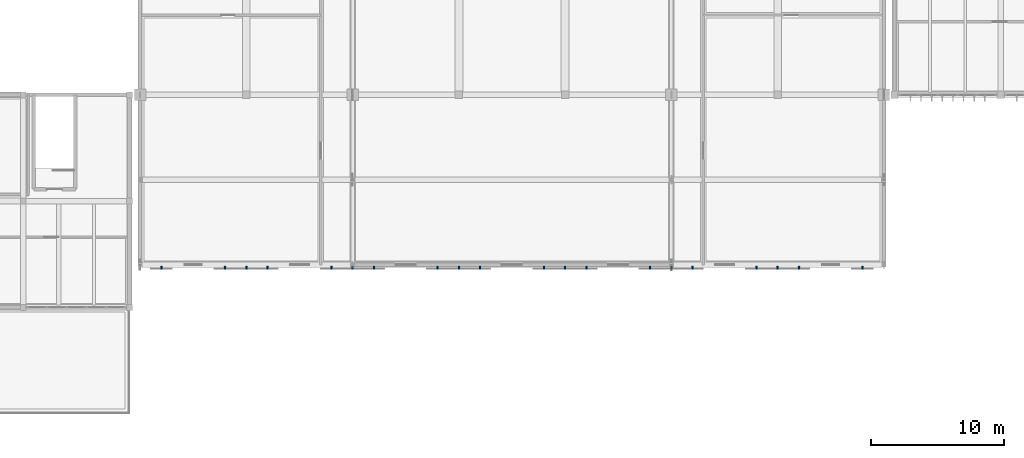
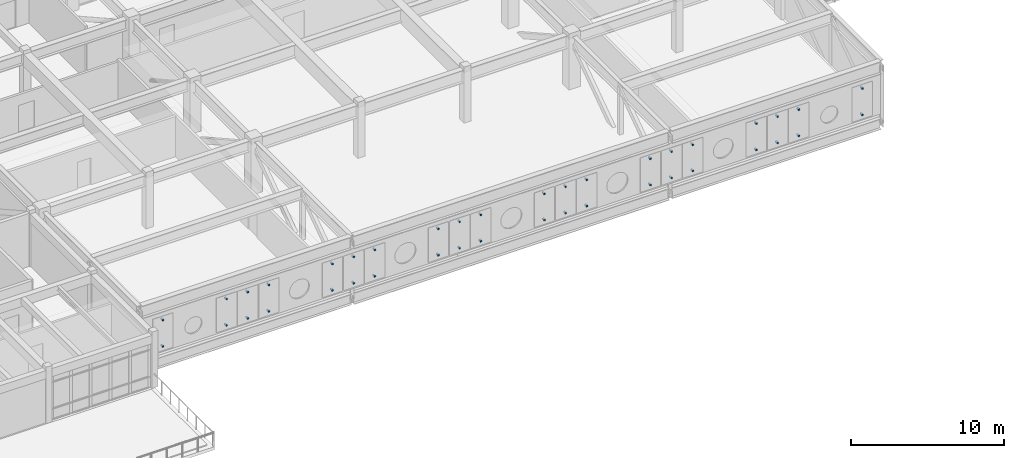
# One storey, part 63 of 79: 40 discrete accessories.
"""IFC4 building model written with IfcOpenShell, lengths in metres."""

import ifcopenshell
import ifcopenshell.guid

model = None  # the IFC model being written
_history = None  # IfcOwnerHistory: only IFC2X3 demands one
_inside = {}  # id of a spatial element -> (the spatial element, [elements in it])
_under = {}  # id of a project, library or spatial element -> (it, [spatial elements below it])
_declared = {}  # id of a project -> (the project, [libraries it declares])
_typed = {}  # id of a type object -> (the type object, [elements of that type])
_made_of = {}  # id of a material, layer set ... -> (it, [elements and type objects made of it])


def new_model(schema):
    """Start an empty IFC model of exactly this schema.

    Asked for "IFC4X3", IfcOpenShell would pick the latest addendum, in which some entities
    have other attributes; the version numbers below select the first issue.
    IFC2X3 requires an IfcOwnerHistory on every rooted entity: one is made here for all.
    """
    global model, _history
    if schema == "IFC4X3":
        model = ifcopenshell.file(schema_version=(4, 3, 0, 0))
    else:
        model = ifcopenshell.file(schema=schema)
    _inside.clear()
    _under.clear()
    _declared.clear()
    _typed.clear()
    _made_of.clear()
    _history = None
    if model.schema == "IFC2X3":
        org = make("IfcOrganization", Name="unknown")
        user = make(
            "IfcPersonAndOrganization",
            ThePerson=make("IfcPerson", FamilyName="unknown"),
            TheOrganization=org,
        )
        app = make(
            "IfcApplication",
            ApplicationDeveloper=org,
            Version="unknown",
            ApplicationFullName="unknown",
            ApplicationIdentifier="unknown",
        )
        _history = make(
            "IfcOwnerHistory",
            OwningUser=user,
            OwningApplication=app,
            ChangeAction="ADDED",
            CreationDate=0,
        )
    return model


def make(cls, **values):
    """One entity of the class cls with the attributes given. An attribute that is None is left unset."""
    return model.create_entity(
        cls, **{name: value for name, value in values.items() if value is not None}
    )


def rooted(cls, **values):
    """An entity with a GlobalId (a new one), such as an element, a storey or a relation."""
    return make(cls, GlobalId=ifcopenshell.guid.new(), OwnerHistory=_history, **values)


def si_unit(unit_type, name, prefix=None):
    """IfcSIUnit, for example si_unit("LENGTHUNIT", "METRE", prefix="MILLI")."""
    return make("IfcSIUnit", UnitType=unit_type, Prefix=prefix, Name=name)


def assignment(units):
    """IfcUnitAssignment: the units of a project."""
    return None if units is None else make("IfcUnitAssignment", Units=units)


def point(xyz):
    """IfcCartesianPoint."""
    return None if xyz is None else make("IfcCartesianPoint", Coordinates=xyz)


def direction(xyz):
    """IfcDirection."""
    return None if xyz is None else make("IfcDirection", DirectionRatios=xyz)


def frame(location, z_axis=None, x_axis=None):
    """IfcAxis2Placement3D, a coordinate frame: its origin and axes. An axis left out is left unset."""
    return make(
        "IfcAxis2Placement3D",
        Location=point(location),
        Axis=direction(z_axis),
        RefDirection=direction(x_axis),
    )


def frame_2d(location, x_axis=None):
    """IfcAxis2Placement2D, a coordinate frame in the plane: its origin and x axis."""
    return make(
        "IfcAxis2Placement2D", Location=point(location), RefDirection=direction(x_axis)
    )


def origin():
    """The frame at (0, 0, 0) with its axes left unset."""
    return frame((0.0, 0.0, 0.0))


def origin_2d():
    """The frame at (0, 0) in the plane with its x axis left unset."""
    return frame_2d((0.0, 0.0))


def place(relative_to, where):
    """IfcLocalPlacement: puts the frame where relative to a parent placement (None: the world)."""
    return make(
        "IfcLocalPlacement", PlacementRelTo=relative_to, RelativePlacement=where
    )


def context(
    kind, dimensions, precision=None, world=None, true_north=None, identifier=None
):
    """IfcGeometricRepresentationContext, for example the 3D "Model" context."""
    return make(
        "IfcGeometricRepresentationContext",
        ContextIdentifier=identifier,
        ContextType=kind,
        CoordinateSpaceDimension=dimensions,
        Precision=precision,
        WorldCoordinateSystem=world,
        TrueNorth=true_north,
    )


def subcontext(parent, identifier, kind, view, scale=None):
    """IfcGeometricRepresentationSubContext, for example "Body" below "Model"."""
    return make(
        "IfcGeometricRepresentationSubContext",
        ContextIdentifier=identifier,
        ContextType=kind,
        ParentContext=parent,
        TargetScale=scale,
        TargetView=view,
    )


def project(units=None, contexts=None):
    """IfcProject with its units and contexts."""
    return rooted(
        "IfcProject",
        Name="project",
        RepresentationContexts=contexts,
        UnitsInContext=assignment(units),
    )


def spatial(cls, under=None, at=None, **own):
    """A site, building, storey or space (cls), placed at a placement, below another one or the project."""
    s = rooted(cls, ObjectPlacement=at, **own)
    if under is not None:
        _under.setdefault(under.id(), (under, []))[1].append(s)
    return s


def profile(cls, at=None, kind="AREA", **sizes):
    """A parametric profile (cls). Its sizes go by their IFC names, for example OverallWidth=200.0."""
    return make(cls, ProfileType=kind, Position=at, **sizes)


def rectangle(**sizes):
    """IfcRectangleProfileDef."""
    return profile("IfcRectangleProfileDef", **sizes)


def extrude(swept, where, along, depth):
    """IfcExtrudedAreaSolid: the profile swept, set in the frame where, extruded along a direction by depth."""
    return make(
        "IfcExtrudedAreaSolid",
        SweptArea=swept,
        Position=where,
        ExtrudedDirection=direction(along),
        Depth=depth,
    )


def shape(context_of_items, identifier, shape_type, items):
    """IfcShapeRepresentation: the items that make up one representation, for example the "Body"."""
    return make(
        "IfcShapeRepresentation",
        ContextOfItems=context_of_items,
        RepresentationIdentifier=identifier,
        RepresentationType=shape_type,
        Items=items,
    )


def material(Name=None, Category=None):
    """IfcMaterial."""
    return make("IfcMaterial", Name=Name, Category=Category)


def made_of(thing, what):
    """Note that an element or type object is made of a material, layer set ...; save() writes the relation."""
    if what is not None:
        _made_of.setdefault(what.id(), (what, []))[1].append(thing)
    return thing


def type_object(cls, material=None, **own):
    """A type object (cls), such as IfcWallType, which elements share."""
    return made_of(rooted(cls, **own), material)


def element(
    cls,
    number,
    at=None,
    inside=None,
    cuts=None,
    type_object=None,
    material=None,
    context=None,
    identifier="Body",
    shape_type=None,
    held_by="IfcProductDefinitionShape",
    body=None,
    shapes=None,
    **own,
):
    """One element of the class cls, such as IfcWall. Its Tag is "e" and its number.

    at: its placement. inside: the storey or other place that contains it. cuts: it is an
    opening in that element (IfcRelVoidsElement). A single representation is given by context,
    identifier, shape_type and body (its items); several are given by shapes. held_by: the class
    of the entity that holds the representations. save() writes the other relations.
    """
    e = rooted(cls, Tag="e%d" % number, ObjectPlacement=at, **own)
    if body is not None:
        shapes = [shape(context, identifier, shape_type, body)]
    if shapes is not None:
        e.Representation = make(held_by, Representations=shapes)
    if inside is not None:
        _inside.setdefault(inside.id(), (inside, []))[1].append(e)
    if cuts is not None:
        rooted(
            "IfcRelVoidsElement", RelatingBuildingElement=cuts, RelatedOpeningElement=e
        )
    if type_object is not None:
        _typed.setdefault(type_object.id(), (type_object, []))[1].append(e)
    return made_of(e, material)


def aggregate(whole, parts):
    """IfcRelAggregates: a whole, such as a stair, and the parts it consists of."""
    return rooted("IfcRelAggregates", RelatingObject=whole, RelatedObjects=parts)


def save(model, path):
    """Write the relations noted so far, then the file.

    IfcRelAggregates (storeys below a building ...), IfcRelContainedInSpatialStructure (elements
    in a storey), IfcRelDefinesByType, IfcRelAssociatesMaterial and IfcRelDeclares: one each for
    every whole, place, type object, material and project.
    """
    for whole, parts in _under.values():
        aggregate(whole, parts)
    for where, things in _inside.values():
        rooted(
            "IfcRelContainedInSpatialStructure",
            RelatedElements=things,
            RelatingStructure=where,
        )
    for kind, things in _typed.values():
        rooted("IfcRelDefinesByType", RelatedObjects=things, RelatingType=kind)
    for what, things in _made_of.values():
        rooted("IfcRelAssociatesMaterial", RelatedObjects=things, RelatingMaterial=what)
    for by, libraries in _declared.values():
        rooted("IfcRelDeclares", RelatingContext=by, RelatedDefinitions=libraries)
    model.write(path)


model = new_model("IFC4")

# Units and contexts
model_context = context("Model", 3, precision=1e-05, world=origin(), true_north=direction((0.0, 1.0)))
body_context = subcontext(model_context, "Body", "Model", "MODEL_VIEW")
ifc_project = project(units=[si_unit("LENGTHUNIT", "METRE"), si_unit("AREAUNIT", "SQUARE_METRE"), si_unit("VOLUMEUNIT", "CUBIC_METRE"), si_unit("PLANEANGLEUNIT", "RADIAN"), si_unit("MASSUNIT", "GRAM", prefix="KILO")], contexts=[model_context])

# Site, building, storey
site_placement = place(None, origin())
site = spatial("IfcSite", under=ifc_project, at=site_placement, CompositionType="ELEMENT")
building_placement = place(site_placement, origin())
building = spatial("IfcBuilding", under=site, at=building_placement, Name="Tlaxcora Railside Police Headquarters", CompositionType="ELEMENT")
storey_placement = place(building_placement, frame((0.0, 0.0, 9.0)))
storey = spatial("IfcBuildingStorey", under=building, at=storey_placement, Name="L02", CompositionType="ELEMENT", Elevation=9.0)

# Discrete accessories
ifc_material = material(Name="Steel ASTM A992 Grade 50", Category="steel")
discrete_accessory_type = type_object("IfcDiscreteAccessoryType", Name="Screen Support Bracket BK-01", PredefinedType="BRACKET", material=ifc_material)
for number, where, z_axis, x_axis, name in (
    (1, (47.60009765625, 22.987548828125, 0.489990234375), (0.0, 0.0, 1.0), (1.0, 0.0, 0.0), "Screen outrigger bracket SCR-V2-L02-0-0 B"),
    (2, (47.60009765625, 22.987548828125, 2.58984375), (0.0, 0.0, 1.0), (1.0, 0.0, 0.0), "Screen outrigger bracket SCR-V2-L02-0-0 T"),
    (3, (52.39990234375, 22.987548828125, 0.489990234375), (0.0, 0.0, 1.0), (1.0, 0.0, 0.0), "Screen outrigger bracket SCR-V2-L02-0-3 B"),
    (4, (52.39990234375, 22.987548828125, 2.58984375), (0.0, 0.0, 1.0), (1.0, 0.0, 0.0), "Screen outrigger bracket SCR-V2-L02-0-3 T"),
    (5, (54.0, 22.987548828125, 0.489990234375), (0.0, 0.0, 1.0), (1.0, 0.0, 0.0), "Screen outrigger bracket SCR-V2-L02-0-4 B"),
    (6, (54.0, 22.987548828125, 2.58984375), (0.0, 0.0, 1.0), (1.0, 0.0, 0.0), "Screen outrigger bracket SCR-V2-L02-0-4 T"),
    (7, (55.60009765625, 22.987548828125, 0.489990234375), (0.0, 0.0, 1.0), (1.0, 0.0, 0.0), "Screen outrigger bracket SCR-V2-L02-0-5 B"),
    (8, (55.60009765625, 22.987548828125, 2.58984375), (0.0, 0.0, 1.0), (1.0, 0.0, 0.0), "Screen outrigger bracket SCR-V2-L02-0-5 T"),
    (9, (60.39990234375, 22.987548828125, 0.489990234375), (0.0, 0.0, 1.0), (1.0, 0.0, 0.0), "Screen outrigger bracket SCR-V2-L02-0-8 B"),
    (10, (60.39990234375, 22.987548828125, 2.58984375), (0.0, 0.0, 1.0), (1.0, 0.0, 0.0), "Screen outrigger bracket SCR-V2-L02-0-8 T"),
    (11, (62.0, 22.987548828125, 0.489990234375), (0.0, 0.0, 1.0), (1.0, 0.0, 0.0), "Screen outrigger bracket SCR-V2-L02-0-9 B"),
    (12, (62.0, 22.987548828125, 2.58984375), (0.0, 0.0, 1.0), (1.0, 0.0, 0.0), "Screen outrigger bracket SCR-V2-L02-0-9 T"),
    (13, (63.60009765625, 22.987548828125, 0.489990234375), (0.0, 0.0, 1.0), (1.0, 0.0, 0.0), "Screen outrigger bracket SCR-V2-L02-0-10 B"),
    (14, (63.60009765625, 22.987548828125, 2.58984375), (0.0, 0.0, 1.0), (1.0, 0.0, 0.0), "Screen outrigger bracket SCR-V2-L02-0-10 T"),
    (15, (68.39990234375, 22.987548828125, 0.489990234375), (0.0, 0.0, 1.0), (1.0, 0.0, 0.0), "Screen outrigger bracket SCR-V2-L02-0-13 B"),
    (16, (68.39990234375, 22.987548828125, 2.58984375), (0.0, 0.0, 1.0), (1.0, 0.0, 0.0), "Screen outrigger bracket SCR-V2-L02-0-13 T"),
    (17, (70.0, 22.987548828125, 0.489990234375), (0.0, 0.0, 1.0), (1.0, 0.0, 0.0), "Screen outrigger bracket SCR-V2-L02-0-14 B"),
    (18, (70.0, 22.987548828125, 2.58984375), (0.0, 0.0, 1.0), (1.0, 0.0, 0.0), "Screen outrigger bracket SCR-V2-L02-0-14 T"),
    (19, (71.60009765625, 22.987548828125, 0.489990234375), (0.0, 0.0, 1.0), (1.0, 0.0, 0.0), "Screen outrigger bracket SCR-V2-L02-0-15 B"),
    (20, (71.60009765625, 22.987548828125, 2.58984375), (0.0, 0.0, 1.0), (1.0, 0.0, 0.0), "Screen outrigger bracket SCR-V2-L02-0-15 T"),
    (21, (76.39990234375, 22.987548828125, 0.489990234375), (0.0, 0.0, 1.0), (1.0, 0.0, 0.0), "Screen outrigger bracket SCR-V2-L02-0-18 B"),
    (22, (76.39990234375, 22.987548828125, 2.58984375), (0.0, 0.0, 1.0), (1.0, 0.0, 0.0), "Screen outrigger bracket SCR-V2-L02-0-18 T"),
    (23, (78.0, 22.987548828125, 0.489990234375), (0.0, 0.0, 1.0), (1.0, 0.0, 0.0), "Screen outrigger bracket SCR-V2-L02-0-19 B"),
    (24, (78.0, 22.987548828125, 2.58984375), (0.0, 0.0, 1.0), (1.0, 0.0, 0.0), "Screen outrigger bracket SCR-V2-L02-0-19 T"),
    (25, (79.60009765625, 22.987548828125, 0.489990234375), (0.0, 0.0, 1.0), (1.0, 0.0, 0.0), "Screen outrigger bracket SCR-V2-L02-0-20 B"),
    (26, (79.60009765625, 22.987548828125, 2.58984375), (0.0, 0.0, 1.0), (1.0, 0.0, 0.0), "Screen outrigger bracket SCR-V2-L02-0-20 T"),
    (27, (84.39990234375, 22.987548828125, 0.489990234375), (0.0, 0.0, 1.0), (1.0, 0.0, 0.0), "Screen outrigger bracket SCR-V2-L02-0-23 B"),
    (28, (84.39990234375, 22.987548828125, 2.58984375), (0.0, 0.0, 1.0), (1.0, 0.0, 0.0), "Screen outrigger bracket SCR-V2-L02-0-23 T"),
    (29, (86.0, 22.987548828125, 0.489990234375), (0.0, 0.0, 1.0), (1.0, 0.0, 0.0), "Screen outrigger bracket SCR-V2-L02-0-24 B"),
    (30, (86.0, 22.987548828125, 2.58984375), (0.0, 0.0, 1.0), (1.0, 0.0, 0.0), "Screen outrigger bracket SCR-V2-L02-0-24 T"),
    (31, (87.60009765625, 22.987548828125, 0.489990234375), (0.0, 0.0, 1.0), (1.0, 0.0, 0.0), "Screen outrigger bracket SCR-V2-L02-0-25 B"),
    (32, (87.60009765625, 22.987548828125, 2.58984375), (0.0, 0.0, 1.0), (1.0, 0.0, 0.0), "Screen outrigger bracket SCR-V2-L02-0-25 T"),
    (33, (92.39990234375, 22.987548828125, 0.489990234375), (0.0, 0.0, 1.0), (1.0, 0.0, 0.0), "Screen outrigger bracket SCR-V2-L02-0-28 B"),
    (34, (92.39990234375, 22.987548828125, 2.58984375), (0.0, 0.0, 1.0), (1.0, 0.0, 0.0), "Screen outrigger bracket SCR-V2-L02-0-28 T"),
    (35, (94.0, 22.987548828125, 0.489990234375), (0.0, 0.0, 1.0), (1.0, 0.0, 0.0), "Screen outrigger bracket SCR-V2-L02-0-29 B"),
    (36, (94.0, 22.987548828125, 2.58984375), (0.0, 0.0, 1.0), (1.0, 0.0, 0.0), "Screen outrigger bracket SCR-V2-L02-0-29 T"),
    (37, (95.60009765625, 22.987548828125, 0.489990234375), (0.0, 0.0, 1.0), (1.0, 0.0, 0.0), "Screen outrigger bracket SCR-V2-L02-0-30 B"),
    (38, (95.60009765625, 22.987548828125, 2.58984375), (0.0, 0.0, 1.0), (1.0, 0.0, 0.0), "Screen outrigger bracket SCR-V2-L02-0-30 T"),
    (39, (100.39990234375, 22.987548828125, 0.489990234375), (0.0, 0.0, 1.0), (1.0, 0.0, 0.0), "Screen outrigger bracket SCR-V2-L02-0-33 B"),
    (40, (100.39990234375, 22.987548828125, 2.58984375), (0.0, 0.0, 1.0), (1.0, 0.0, 0.0), "Screen outrigger bracket SCR-V2-L02-0-33 T"),
):
    element("IfcDiscreteAccessory", number, at=place(storey_placement, frame(where, z_axis=z_axis, x_axis=x_axis)), inside=storey, type_object=discrete_accessory_type, Name=name, PredefinedType="BRACKET", context=body_context, shape_type="SweptSolid", body=[
        extrude(rectangle(XDim=0.1201171875, YDim=0.239990234375, at=origin_2d()), origin(), (0.0, 0.0, 1.0), 0.1201171875),
    ])

save(model, "model.ifc")
